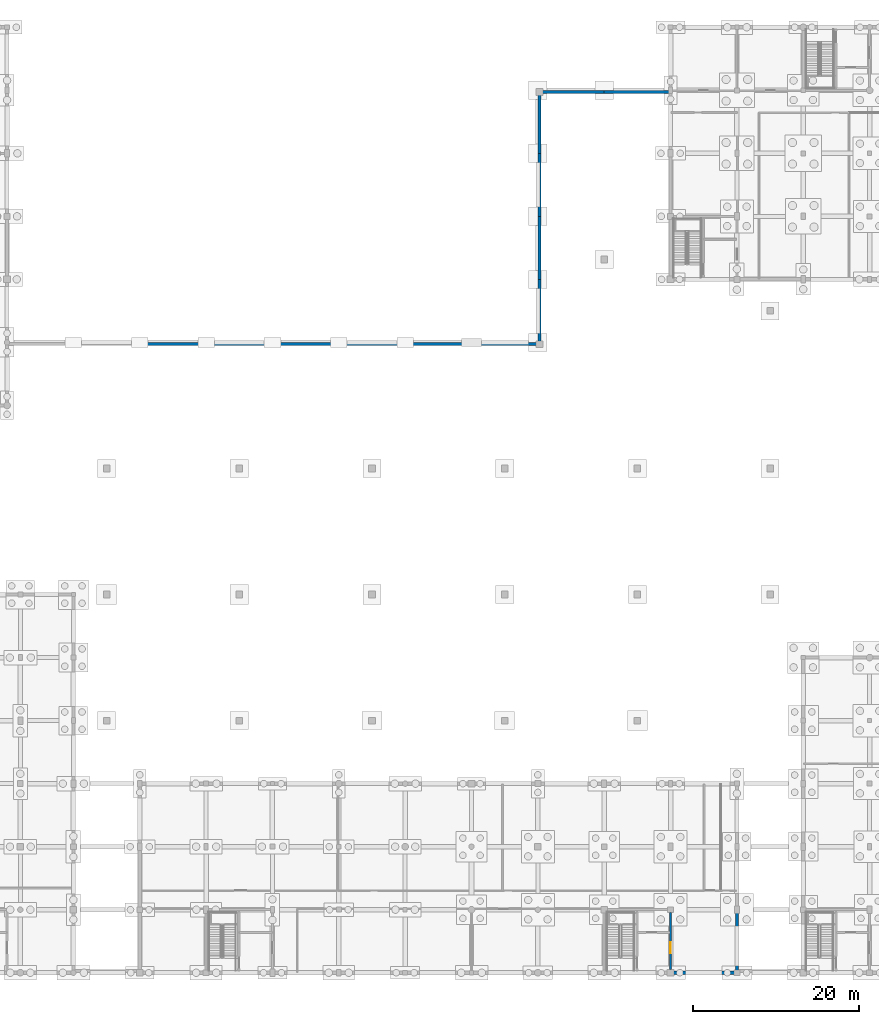
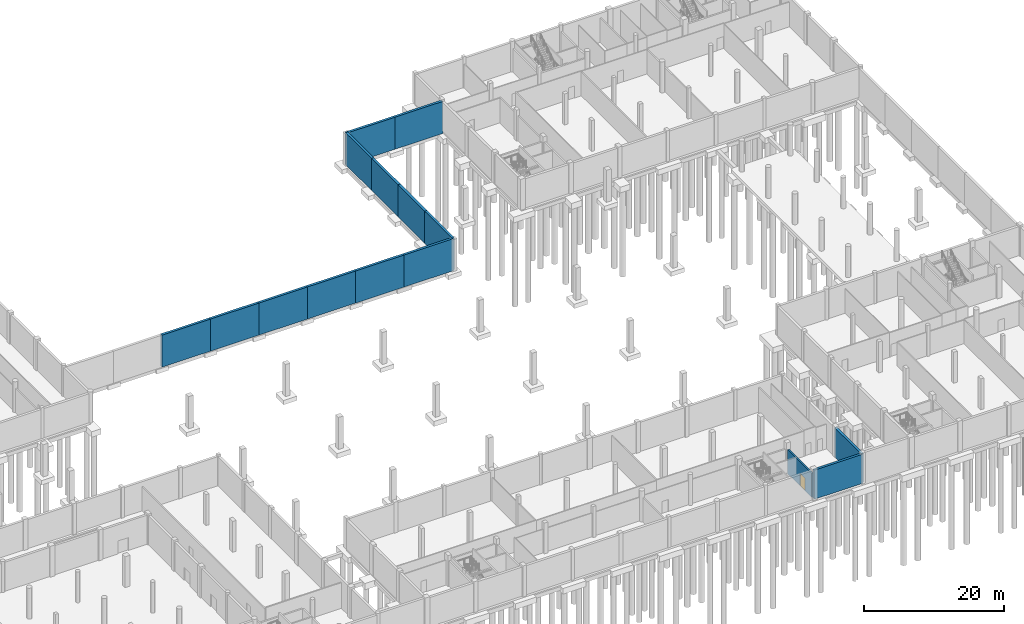
# One storey, part 28 of 44: 15 walls, 1 door, 1 opening.
"""IFC4 building model written with IfcOpenShell, lengths in metres."""

from ifc_helpers import new_model, si_unit, direction, frame, frame_2d, origin, place, context, subcontext, project, spatial, rectangle, extrude, material, layer, layer_set, type_object, element, fill, save


model = new_model("IFC4")

# Units and contexts
model_context = context("Model", 3, precision=1e-05, world=origin(), true_north=direction((0.0, 1.0)))
body_context = subcontext(model_context, "Body", "Model", "MODEL_VIEW")
ifc_project = project(units=[si_unit("LENGTHUNIT", "METRE"), si_unit("AREAUNIT", "SQUARE_METRE"), si_unit("VOLUMEUNIT", "CUBIC_METRE"), si_unit("PLANEANGLEUNIT", "RADIAN"), si_unit("MASSUNIT", "GRAM", prefix="KILO")], contexts=[model_context])

# Site, building, storey
site_placement = place(None, origin())
site = spatial("IfcSite", under=ifc_project, at=site_placement, CompositionType="ELEMENT")
building_placement = place(site_placement, origin())
building = spatial("IfcBuilding", under=site, at=building_placement, Name="Khelvaren Railside Concert Hall", CompositionType="ELEMENT")
storey_placement = place(building_placement, frame((0.0, 0.0, -5.39990234375)))
storey = spatial("IfcBuildingStorey", under=building, at=storey_placement, Name="B1", CompositionType="ELEMENT", Elevation=-5.39990234375)

# Wall, opening, door
ifc_material_1 = material(Name="Concrete C40/50", Category="concrete")
ifc_layer_1 = layer(ifc_material_1, 0.25)
ifc_layer_set_1 = layer_set([ifc_layer_1], Name="Concrete C40/50")
wall_type_1 = type_object("IfcWallType", Name="CW82", PredefinedType="SOLIDWALL", material=ifc_layer_set_1)
wall_1_placement = place(storey_placement, frame((128.0, 0.39990234375, 0.0), z_axis=(0.0, 0.0, 1.0), x_axis=(0.0, 1.0, 0.0)))
wall_1 = element("IfcWall", 1, at=wall_1_placement, inside=storey, type_object=wall_type_1, Name="Core Enclosure Wall CWALL-ST-06-B1-E", PredefinedType="SOLIDWALL", context=body_context, shape_type="SweptSolid", body=[
    extrude(rectangle(XDim=6.85009765625, YDim=0.25, at=frame_2d((3.425048828125, 0.0))), origin(), (0.0, 0.0, 1.0), 4.204833984375),
])
opening_placement = place(wall_1_placement, frame((1.949951171875, 0.0, 0.0)))
opening = element("IfcOpeningElement", 2, at=opening_placement, cuts=wall_1, Name="Opening FDR34", PredefinedType="OPENING", context=body_context, shape_type="SweptSolid", body=[
    extrude(rectangle(XDim=1.35009765625, YDim=2.199951171875, at=frame_2d((0.675048828125, 1.10009765625))), frame((0.0, 0.135009765625, 0.0), z_axis=(0.0, -1.0, 0.0), x_axis=(1.0, 0.0, 0.0)), (0.0, 0.0, 1.0), 0.27001953125),
])
ifc_material_2 = material(Name="Acoustic fire-rated timber-core steel frame door", Category="steel")
door_type = type_object("IfcDoorType", Name="FDR34", OperationType="NOTDEFINED", PredefinedType="DOOR", material=ifc_material_2)
door_placement = place(opening_placement, origin())
door = element("IfcDoor", 3, at=door_placement, inside=storey, type_object=door_type, Name="Interior Door DR-ST-06-B1-LOB", OperationType="SINGLE_SWING_LEFT", OverallHeight=2.199951171875, OverallWidth=1.35009765625, PredefinedType="DOOR", context=body_context, shape_type="SweptSolid", body=[
    extrude(rectangle(XDim=1.35009765625, YDim=2.199951171875, at=frame_2d((0.675048828125, 1.10009765625))), frame((0.0, 0.02490234375, 0.0), z_axis=(0.0, -1.0, 0.0), x_axis=(1.0, 0.0, 0.0)), (0.0, 0.0, 1.0), 0.050048828125),
])
fill(opening, door)

# Walls
ifc_layer_2 = layer(ifc_material_1, 0.39990234375)
ifc_layer_set_2 = layer_set([ifc_layer_2], Name="Concrete C40/50")
wall_type_2 = type_object("IfcWallType", Name="RW96", PredefinedType="USERDEFINED", material=ifc_layer_set_2)
wall_2_placement = place(storey_placement, frame((128.0, 0.0, 0.0), z_axis=(0.0, 0.0, 1.0), x_axis=(1.0, 0.0, 0.0)))
element("IfcWall", 4, at=wall_2_placement, inside=storey, type_object=wall_type_2, Name="V3 Basement Retaining Wall S09", ObjectType="RETAINING WALL", PredefinedType="USERDEFINED", context=body_context, shape_type="SweptSolid", body=[
    extrude(rectangle(XDim=8.0, YDim=0.39990234375, at=frame_2d((4.0, 0.0))), origin(), (0.0, 0.0, 1.0), 5.079833984375),
])
wall_3_placement = place(storey_placement, frame((136.0, 0.0, 0.0), z_axis=(0.0, 0.0, 1.0), x_axis=(0.0, 1.0, 0.0)))
element("IfcWall", 5, at=wall_3_placement, inside=storey, type_object=wall_type_2, Name="V3 Basement Retaining Wall E01", ObjectType="RETAINING WALL", PredefinedType="USERDEFINED", context=body_context, shape_type="SweptSolid", body=[
    extrude(rectangle(XDim=7.60009765625, YDim=0.39990234375, at=frame_2d((3.800048828125, 0.0))), origin(), (0.0, 0.0, 1.0), 5.079833984375),
])
for number, where, z_axis, x_axis, name in (
    (6, (64.0, 75.800048828125, -0.5), (0.0, 0.0, 1.0), (1.0, 0.0, 0.0), "Courtyard Perimeter Retaining Wall PLAZA-N03"),
    (7, (72.0, 75.800048828125, -0.5), (0.0, 0.0, 1.0), (1.0, 0.0, 0.0), "Courtyard Perimeter Retaining Wall PLAZA-N04"),
    (8, (80.0, 75.800048828125, -0.5), (0.0, 0.0, 1.0), (1.0, 0.0, 0.0), "Courtyard Perimeter Retaining Wall PLAZA-N05"),
    (9, (88.0, 75.800048828125, -0.5), (0.0, 0.0, 1.0), (1.0, 0.0, 0.0), "Courtyard Perimeter Retaining Wall PLAZA-N06"),
    (10, (96.0, 75.800048828125, -0.5), (0.0, 0.0, 1.0), (1.0, 0.0, 0.0), "Courtyard Perimeter Retaining Wall PLAZA-N07"),
):
    element("IfcWall", number, at=place(storey_placement, frame(where, z_axis=z_axis, x_axis=x_axis)), inside=storey, type_object=wall_type_2, Name=name, ObjectType="RETAINING WALL", PredefinedType="USERDEFINED", context=body_context, shape_type="SweptSolid", body=[
        extrude(rectangle(XDim=8.0, YDim=0.39990234375, at=frame_2d((4.0, 0.0))), origin(), (0.0, 0.0, 1.0), 5.599853515625),
    ])
wall_4_placement = place(storey_placement, frame((104.0, 75.800048828125, -0.5), z_axis=(0.0, 0.0, 1.0), x_axis=(1.0, 0.0, 0.0)))
element("IfcWall", 11, at=wall_4_placement, inside=storey, type_object=wall_type_2, Name="Courtyard Perimeter Retaining Wall PLAZA-N08", ObjectType="RETAINING WALL", PredefinedType="USERDEFINED", context=body_context, shape_type="SweptSolid", body=[
    extrude(rectangle(XDim=8.199951171875, YDim=0.39990234375, at=frame_2d((4.10009765625, 0.0))), origin(), (0.0, 0.0, 1.0), 5.599853515625),
])
wall_5_placement = place(storey_placement, frame((112.199951171875, 75.800048828125, -0.5), z_axis=(0.0, 0.0, 1.0), x_axis=(0.0, 1.0, 0.0)))
element("IfcWall", 12, at=wall_5_placement, inside=storey, type_object=wall_type_2, Name="Courtyard Perimeter Retaining Wall DOCK-W01", ObjectType="RETAINING WALL", PredefinedType="USERDEFINED", context=body_context, shape_type="SweptSolid", body=[
    extrude(rectangle(XDim=7.800048828125, YDim=0.39990234375, at=frame_2d((3.89990234375, 0.0))), origin(), (0.0, 0.0, 1.0), 5.599853515625),
])
wall_6_placement = place(storey_placement, frame((112.199951171875, 83.60009765625, -0.5), z_axis=(0.0, 0.0, 1.0), x_axis=(0.0, 1.0, 0.0)))
element("IfcWall", 13, at=wall_6_placement, inside=storey, type_object=wall_type_2, Name="Courtyard Perimeter Retaining Wall DOCK-W02", ObjectType="RETAINING WALL", PredefinedType="USERDEFINED", context=body_context, shape_type="SweptSolid", body=[
    extrude(rectangle(XDim=7.599853515625, YDim=0.39990234375, at=frame_2d((3.7998046875, 0.0))), origin(), (0.0, 0.0, 1.0), 5.599853515625),
])
wall_7_placement = place(storey_placement, frame((112.199951171875, 91.199951171875, -0.5), z_axis=(0.0, 0.0, 1.0), x_axis=(0.0, 1.0, 0.0)))
element("IfcWall", 14, at=wall_7_placement, inside=storey, type_object=wall_type_2, Name="Courtyard Perimeter Retaining Wall DOCK-W03", ObjectType="RETAINING WALL", PredefinedType="USERDEFINED", context=body_context, shape_type="SweptSolid", body=[
    extrude(rectangle(XDim=7.60009765625, YDim=0.39990234375, at=frame_2d((3.800048828125, 0.0))), origin(), (0.0, 0.0, 1.0), 5.599853515625),
])
wall_8_placement = place(storey_placement, frame((112.199951171875, 98.800048828125, -0.5), z_axis=(0.0, 0.0, 1.0), x_axis=(0.0, 1.0, 0.0)))
element("IfcWall", 15, at=wall_8_placement, inside=storey, type_object=wall_type_2, Name="Courtyard Perimeter Retaining Wall DOCK-W04", ObjectType="RETAINING WALL", PredefinedType="USERDEFINED", context=body_context, shape_type="SweptSolid", body=[
    extrude(rectangle(XDim=7.39990234375, YDim=0.39990234375, at=frame_2d((3.699951171875, 0.0))), origin(), (0.0, 0.0, 1.0), 5.599853515625),
])
for number, where, z_axis, x_axis, name in (
    (16, (112.0, 106.199951171875, -0.5), (0.0, 0.0, 1.0), (1.0, 0.0, 0.0), "Courtyard Perimeter Retaining Wall DOCK-N01"),
    (17, (120.0, 106.199951171875, -0.5), (0.0, 0.0, 1.0), (1.0, 0.0, 0.0), "Courtyard Perimeter Retaining Wall DOCK-N02"),
):
    element("IfcWall", number, at=place(storey_placement, frame(where, z_axis=z_axis, x_axis=x_axis)), inside=storey, type_object=wall_type_2, Name=name, ObjectType="RETAINING WALL", PredefinedType="USERDEFINED", context=body_context, shape_type="SweptSolid", body=[
        extrude(rectangle(XDim=8.0, YDim=0.39990234375, at=frame_2d((4.0, 0.0))), origin(), (0.0, 0.0, 1.0), 5.599853515625),
    ])

save(model, "model.ifc")
